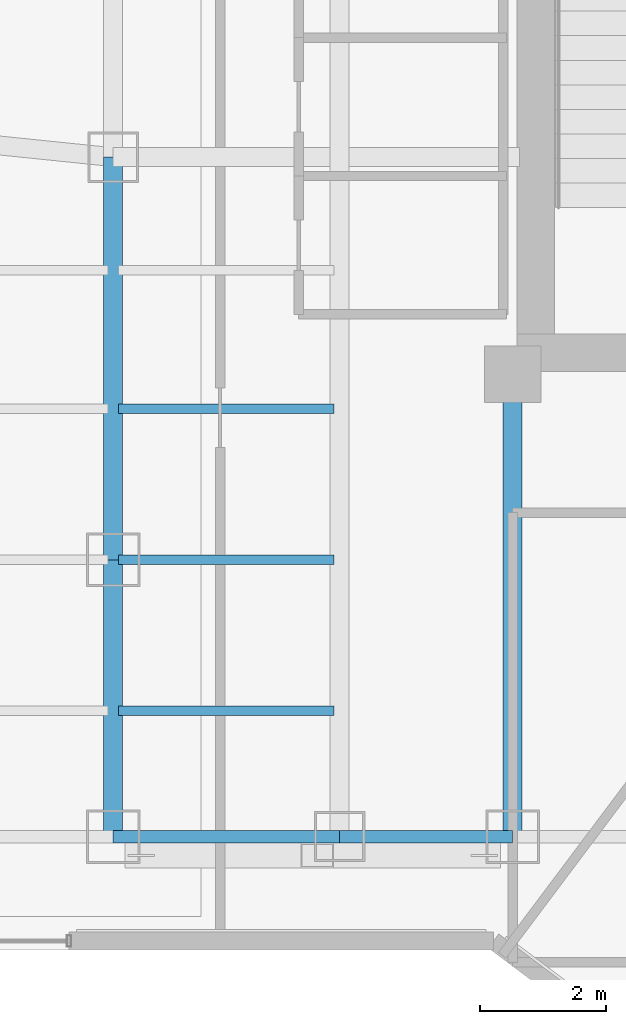
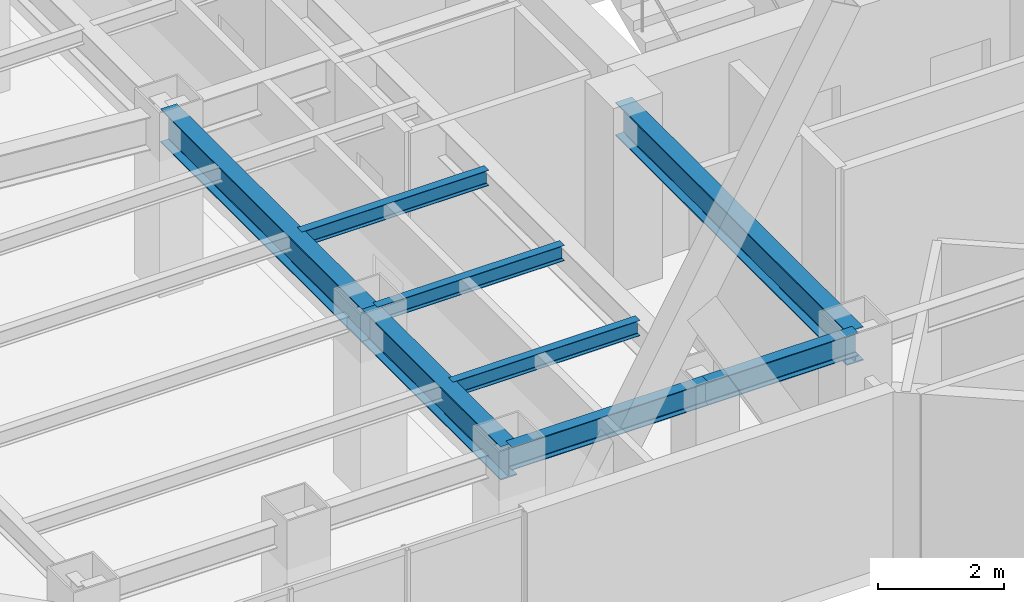
# One storey, part 5 of 26: 8 beams.
"""IFC4 building model written with IfcOpenShell, lengths in metres."""

from ifc_helpers import new_model, si_unit, direction, frame, origin, origin_2d, place, context, subcontext, project, spatial, i_section, extrude, material, material_profile, profile_set, type_object, element, save


model = new_model("IFC4")

# Units and contexts
model_context = context("Model", 3, precision=1e-05, world=origin(), true_north=direction((0.0, 1.0)))
body_context = subcontext(model_context, "Body", "Model", "MODEL_VIEW")
ifc_project = project(units=[si_unit("LENGTHUNIT", "METRE"), si_unit("AREAUNIT", "SQUARE_METRE"), si_unit("VOLUMEUNIT", "CUBIC_METRE"), si_unit("PLANEANGLEUNIT", "RADIAN"), si_unit("MASSUNIT", "GRAM", prefix="KILO")], contexts=[model_context])

# Site, building, storey
site_placement = place(None, origin())
site = spatial("IfcSite", under=ifc_project, at=site_placement, CompositionType="ELEMENT")
building_placement = place(site_placement, origin())
building = spatial("IfcBuilding", under=site, at=building_placement, Name="Hatsunagi Terrace Concourse", CompositionType="ELEMENT")
storey_placement = place(building_placement, frame((0.0, 0.0, 134.85009765625)))
storey = spatial("IfcBuildingStorey", under=building, at=storey_placement, Name="L35", CompositionType="ELEMENT", Elevation=134.85009765625)

# Beams
ifc_material_1 = material(Name="Steel SN490B", Category="steel")
ifc_material_profile_1 = material_profile(ifc_material_1, i_section(OverallWidth=0.14990234375, OverallDepth=0.300048828125, WebThickness=0.006591796875, FlangeThickness=0.009033203125, FilletRadius=0.010986328125, at=origin_2d()), Name="H-300x150x6.5x9")
ifc_profile_set_1 = profile_set([ifc_material_profile_1], Name="Steel SN490B")
beam_type_1 = type_object("IfcBeamType", Name="OfficeJoist_H_300x150", PredefinedType="JOIST", material=ifc_profile_set_1)
for number, where, z_axis, x_axis, name in (
    (1, (19.284912109375, 27.199951171875, 3.199951171875), (1.0, 0.0, 0.0), (0.0, 1.0, 0.0), "Beam J-03 J-L35-W-19-272"),
    (2, (19.284912109375, 29.60009765625, 3.199951171875), (1.0, 0.0, 0.0), (0.0, 1.0, 0.0), "Beam J-03 J-L35-W-19-296"),
    (3, (19.284912109375, 32.0, 3.199951171875), (1.0, 0.0, 0.0), (0.0, 1.0, 0.0), "Beam J-03 J-L35-W-19-320"),
):
    element("IfcBeam", number, at=place(storey_placement, frame(where, z_axis=z_axis, x_axis=x_axis)), inside=storey, type_object=beam_type_1, Name=name, PredefinedType="JOIST", context=body_context, shape_type="SweptSolid", body=[
        extrude(i_section(OverallWidth=0.14990234375, OverallDepth=0.300048828125, WebThickness=0.006591796875, FlangeThickness=0.009033203125, FilletRadius=0.010986328125, at=origin_2d()), origin(), (0.0, 0.0, 1.0), 3.43017578125),
    ])
ifc_material_2 = material(Name="Steel SN490B", Category="steel")
ifc_material_profile_2 = material_profile(ifc_material_2, i_section(OverallWidth=0.300048828125, OverallDepth=0.64990234375, WebThickness=0.012939453125, FlangeThickness=0.02197265625, FilletRadius=0.01806640625, at=origin_2d()), Name="H-650x300x13x22")
ifc_profile_set_2 = profile_set([ifc_material_profile_2], Name="Steel SN490B")
beam_type_2 = type_object("IfcBeamType", Name="OfficeLowGirder_H_650x300", PredefinedType="BEAM", material=ifc_profile_set_2)
beam_1_placement = place(storey_placement, frame((25.550048828125, 25.199951171875, 3.02490234375), z_axis=(0.0, 1.0, 0.0), x_axis=(-1.0, 0.0, 0.0)))
element("IfcBeam", 4, at=beam_1_placement, inside=storey, type_object=beam_type_2, Name="Beam G-05 BM-L35-K1CA", PredefinedType="BEAM", context=body_context, shape_type="SweptSolid", body=[
    extrude(i_section(OverallWidth=0.300048828125, OverallDepth=0.64990234375, WebThickness=0.012939453125, FlangeThickness=0.02197265625, FilletRadius=0.01806640625, at=origin_2d()), origin(), (0.0, 0.0, 1.0), 7.35009765625),
])
beam_2_placement = place(storey_placement, frame((19.199951171875, 25.199951171875, 3.02490234375), z_axis=(0.0, 1.0, 0.0), x_axis=(-1.0, 0.0, 0.0)))
element("IfcBeam", 5, at=beam_2_placement, inside=storey, type_object=beam_type_2, Name="Beam G-05 BM-L35-NS-19-25", PredefinedType="BEAM", context=body_context, shape_type="SweptSolid", body=[
    extrude(i_section(OverallWidth=0.300048828125, OverallDepth=0.64990234375, WebThickness=0.012939453125, FlangeThickness=0.02197265625, FilletRadius=0.01806640625, at=origin_2d()), origin(), (0.0, 0.0, 1.0), 4.400146484375),
])
beam_3_placement = place(storey_placement, frame((19.199951171875, 29.60009765625, 3.02490234375), z_axis=(0.0, 1.0, 0.0), x_axis=(-1.0, 0.0, 0.0)))
element("IfcBeam", 6, at=beam_3_placement, inside=storey, type_object=beam_type_2, Name="Beam G-05 BM-L35-NS-19-29", PredefinedType="BEAM", context=body_context, shape_type="SweptSolid", body=[
    extrude(i_section(OverallWidth=0.300048828125, OverallDepth=0.64990234375, WebThickness=0.012939453125, FlangeThickness=0.02197265625, FilletRadius=0.01806640625, at=origin_2d()), origin(), (0.0, 0.0, 1.0), 6.39990234375),
])
ifc_material_3 = material(Name="Steel SN490B", Category="steel")
ifc_material_profile_3 = material_profile(ifc_material_3, i_section(OverallWidth=0.199951171875, OverallDepth=0.449951171875, WebThickness=0.009033203125, FlangeThickness=0.013916015625, FilletRadius=0.01611328125, at=origin_2d()), Name="H-450x200x9x14")
ifc_profile_set_3 = profile_set([ifc_material_profile_3], Name="Steel SN490B")
beam_type_3 = type_object("IfcBeamType", Name="PerimeterSpandrel_H_450x200", PredefinedType="SPANDREL", material=ifc_profile_set_3)
beam_4_placement = place(storey_placement, frame((19.199951171875, 25.199951171875, 3.125), z_axis=(1.0, 0.0, 0.0), x_axis=(0.0, 1.0, 0.0)))
element("IfcBeam", 7, at=beam_4_placement, inside=storey, type_object=beam_type_3, Name="Beam SP-02 BM-L35-WS-19", PredefinedType="SPANDREL", context=body_context, shape_type="SweptSolid", body=[
    extrude(i_section(OverallWidth=0.199951171875, OverallDepth=0.449951171875, WebThickness=0.009033203125, FlangeThickness=0.013916015625, FilletRadius=0.01611328125, at=origin_2d()), origin(), (0.0, 0.0, 1.0), 3.60009765625),
])
beam_5_placement = place(storey_placement, frame((22.800048828125, 25.199951171875, 3.125), z_axis=(1.0, 0.0, 0.0), x_axis=(0.0, 1.0, 0.0)))
element("IfcBeam", 8, at=beam_5_placement, inside=storey, type_object=beam_type_3, Name="Beam SP-02 BM-L35-WS-22", PredefinedType="SPANDREL", context=body_context, shape_type="SweptSolid", body=[
    extrude(i_section(OverallWidth=0.199951171875, OverallDepth=0.449951171875, WebThickness=0.009033203125, FlangeThickness=0.013916015625, FilletRadius=0.01611328125, at=origin_2d()), origin(), (0.0, 0.0, 1.0), 2.75),
])

save(model, "model.ifc")
